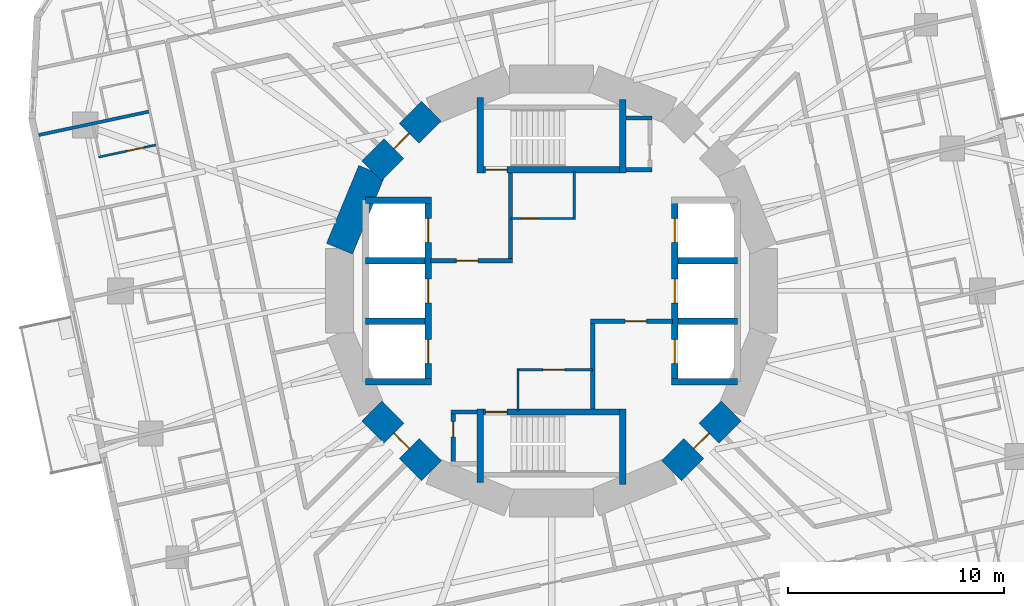
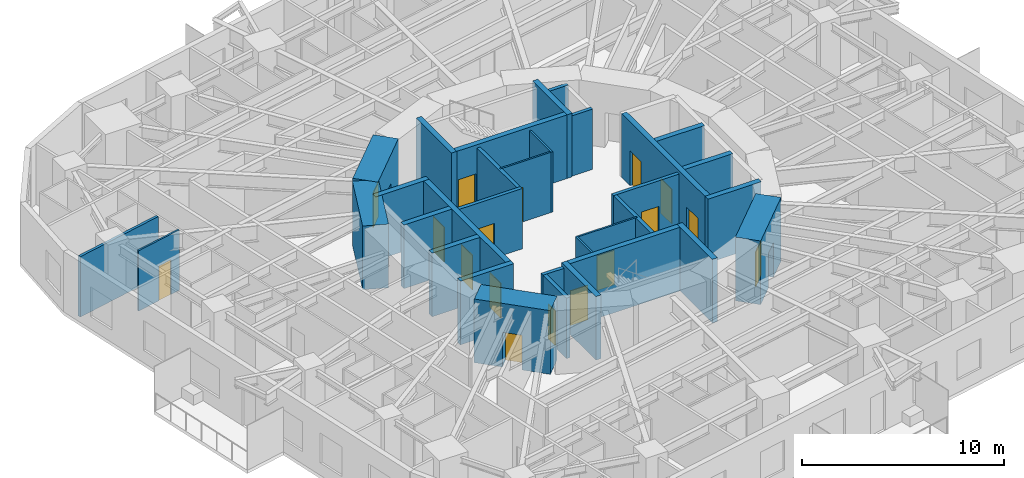
# One storey, part 7 of 14: 33 walls, 17 doors, 17 openings.
"""IFC4 building model written with IfcOpenShell, lengths in metres."""

from ifc_helpers import new_model, si_unit, direction, frame, frame_2d, origin, place, context, subcontext, project, spatial, rectangle, extrude, material, layer, layer_set, type_object, element, fill, save


model = new_model("IFC4")

# Units and contexts
model_context = context("Model", 3, precision=1e-05, world=origin(), true_north=direction((0.0, 1.0)))
body_context = subcontext(model_context, "Body", "Model", "MODEL_VIEW")
ifc_project = project(units=[si_unit("LENGTHUNIT", "METRE"), si_unit("AREAUNIT", "SQUARE_METRE"), si_unit("VOLUMEUNIT", "CUBIC_METRE"), si_unit("PLANEANGLEUNIT", "RADIAN"), si_unit("MASSUNIT", "GRAM", prefix="KILO")], contexts=[model_context])

# Site, building, storey
site_placement = place(None, origin())
site = spatial("IfcSite", under=ifc_project, at=site_placement, CompositionType="ELEMENT")
building_placement = place(site_placement, origin())
building = spatial("IfcBuilding", under=site, at=building_placement, Name="Nakasero Lantern House", CompositionType="ELEMENT")
storey_placement = place(building_placement, frame((0.0, 0.0, 105.0)))
storey = spatial("IfcBuildingStorey", under=building, at=storey_placement, Name="L25", CompositionType="ELEMENT", Elevation=105.0)

# Wall, openings, doors
ifc_material_1 = material(Name="Concrete C50/60", Category="concrete")
ifc_layer_1 = layer(ifc_material_1, 0.300048828125)
ifc_layer_set_1 = layer_set([ifc_layer_1], Name="Core inner wall 300")
wall_type_1 = type_object("IfcWallType", Name="Core inner wall 300", PredefinedType="SHEAR", material=ifc_layer_set_1)
wall_1_placement = place(storey_placement, frame((-5.699951171875, -4.199951171875, 0.0), z_axis=(0.0, 0.0, 1.0), x_axis=(0.0, 1.0, 0.0)))
wall_1 = element("IfcWall", 1, at=wall_1_placement, inside=storey, type_object=wall_type_1, Name="Core inner wall L25 LW", PredefinedType="SHEAR", context=body_context, shape_type="SweptSolid", body=[
    extrude(rectangle(XDim=8.39990234375, YDim=0.300048828125, at=frame_2d((4.199951171875, 0.0))), origin(), (0.0, 0.0, 1.0), 3.85009765625),
])
opening_1_placement = place(wall_1_placement, frame((0.85009765625, 0.0, 0.0)))
opening_1 = element("IfcOpeningElement", 2, at=opening_1_placement, cuts=wall_1, Name="Opening LD", PredefinedType="OPENING", context=body_context, shape_type="SweptSolid", body=[
    extrude(rectangle(XDim=1.10009765625, YDim=2.10009765625, at=frame_2d((0.550048828125, 1.050048828125))), frame((0.0, 0.169921875, 0.0), z_axis=(0.0, -1.0, 0.0), x_axis=(1.0, 0.0, 0.0)), (0.0, 0.0, 1.0), 0.340087890625),
])
opening_2_placement = place(wall_1_placement, frame((3.64990234375, 0.0, 0.0)))
opening_2 = element("IfcOpeningElement", 3, at=opening_2_placement, cuts=wall_1, Name="Opening LD", PredefinedType="OPENING", context=body_context, shape_type="SweptSolid", body=[
    extrude(rectangle(XDim=1.10009765625, YDim=2.10009765625, at=frame_2d((0.550048828125, 1.050048828125))), frame((0.0, 0.169921875, 0.0), z_axis=(0.0, -1.0, 0.0), x_axis=(1.0, 0.0, 0.0)), (0.0, 0.0, 1.0), 0.340087890625),
])
opening_3_placement = place(wall_1_placement, frame((6.449951171875, 0.0, 0.0)))
opening_3 = element("IfcOpeningElement", 4, at=opening_3_placement, cuts=wall_1, Name="Opening LD", PredefinedType="OPENING", context=body_context, shape_type="SweptSolid", body=[
    extrude(rectangle(XDim=1.10009765625, YDim=2.10009765625, at=frame_2d((0.550048828125, 1.050048828125))), frame((0.0, 0.169921875, 0.0), z_axis=(0.0, -1.0, 0.0), x_axis=(1.0, 0.0, 0.0)), (0.0, 0.0, 1.0), 0.340087890625),
])
ifc_material_2 = material(Name="Steel S355", Category="steel")
door_type_1 = type_object("IfcDoorType", Name="Lift landing door E120 1100", OperationType="SLIDING_TO_LEFT", PredefinedType="DOOR", material=ifc_material_2)
door_1_placement = place(opening_1_placement, origin())
door_1 = element("IfcDoor", 5, at=door_1_placement, inside=storey, type_object=door_type_1, Name="Lift landing door LW1", OperationType="SLIDING_TO_LEFT", OverallHeight=2.10009765625, OverallWidth=1.10009765625, PredefinedType="DOOR", context=body_context, shape_type="SweptSolid", body=[
    extrude(rectangle(XDim=1.10009765625, YDim=2.10009765625, at=frame_2d((0.550048828125, 1.050048828125))), frame((0.0, 0.02490234375, 0.0), z_axis=(0.0, -1.0, 0.0), x_axis=(1.0, 0.0, 0.0)), (0.0, 0.0, 1.0), 0.050048828125),
])
fill(opening_1, door_1)
door_2_placement = place(opening_2_placement, origin())
door_2 = element("IfcDoor", 6, at=door_2_placement, inside=storey, type_object=door_type_1, Name="Lift landing door LW2", OperationType="SLIDING_TO_LEFT", OverallHeight=2.10009765625, OverallWidth=1.10009765625, PredefinedType="DOOR", context=body_context, shape_type="SweptSolid", body=[
    extrude(rectangle(XDim=1.10009765625, YDim=2.10009765625, at=frame_2d((0.550048828125, 1.050048828125))), frame((0.0, 0.02490234375, 0.0), z_axis=(0.0, -1.0, 0.0), x_axis=(1.0, 0.0, 0.0)), (0.0, 0.0, 1.0), 0.050048828125),
])
fill(opening_2, door_2)
door_3_placement = place(opening_3_placement, origin())
door_3 = element("IfcDoor", 7, at=door_3_placement, inside=storey, type_object=door_type_1, Name="Lift landing door LW3", OperationType="SLIDING_TO_LEFT", OverallHeight=2.10009765625, OverallWidth=1.10009765625, PredefinedType="DOOR", context=body_context, shape_type="SweptSolid", body=[
    extrude(rectangle(XDim=1.10009765625, YDim=2.10009765625, at=frame_2d((0.550048828125, 1.050048828125))), frame((0.0, 0.02490234375, 0.0), z_axis=(0.0, -1.0, 0.0), x_axis=(1.0, 0.0, 0.0)), (0.0, 0.0, 1.0), 0.050048828125),
])
fill(opening_3, door_3)

wall_2_placement = place(storey_placement, frame((5.699951171875, -4.199951171875, 0.0), z_axis=(0.0, 0.0, 1.0), x_axis=(0.0, 1.0, 0.0)))
wall_2 = element("IfcWall", 8, at=wall_2_placement, inside=storey, type_object=wall_type_1, Name="Core inner wall L25 LE", PredefinedType="SHEAR", context=body_context, shape_type="SweptSolid", body=[
    extrude(rectangle(XDim=8.39990234375, YDim=0.300048828125, at=frame_2d((4.199951171875, 0.0))), origin(), (0.0, 0.0, 1.0), 3.85009765625),
])
opening_4_placement = place(wall_2_placement, frame((0.85009765625, 0.0, 0.0)))
opening_4 = element("IfcOpeningElement", 9, at=opening_4_placement, cuts=wall_2, Name="Opening LD", PredefinedType="OPENING", context=body_context, shape_type="SweptSolid", body=[
    extrude(rectangle(XDim=1.10009765625, YDim=2.10009765625, at=frame_2d((0.550048828125, 1.050048828125))), frame((0.0, 0.169921875, 0.0), z_axis=(0.0, -1.0, 0.0), x_axis=(1.0, 0.0, 0.0)), (0.0, 0.0, 1.0), 0.340087890625),
])
opening_5_placement = place(wall_2_placement, frame((3.64990234375, 0.0, 0.0)))
opening_5 = element("IfcOpeningElement", 10, at=opening_5_placement, cuts=wall_2, Name="Opening LD", PredefinedType="OPENING", context=body_context, shape_type="SweptSolid", body=[
    extrude(rectangle(XDim=1.10009765625, YDim=2.10009765625, at=frame_2d((0.550048828125, 1.050048828125))), frame((0.0, 0.169921875, 0.0), z_axis=(0.0, -1.0, 0.0), x_axis=(1.0, 0.0, 0.0)), (0.0, 0.0, 1.0), 0.340087890625),
])
opening_6_placement = place(wall_2_placement, frame((6.449951171875, 0.0, 0.0)))
opening_6 = element("IfcOpeningElement", 11, at=opening_6_placement, cuts=wall_2, Name="Opening LD", PredefinedType="OPENING", context=body_context, shape_type="SweptSolid", body=[
    extrude(rectangle(XDim=1.10009765625, YDim=2.10009765625, at=frame_2d((0.550048828125, 1.050048828125))), frame((0.0, 0.169921875, 0.0), z_axis=(0.0, -1.0, 0.0), x_axis=(1.0, 0.0, 0.0)), (0.0, 0.0, 1.0), 0.340087890625),
])
door_4_placement = place(opening_4_placement, origin())
door_4 = element("IfcDoor", 12, at=door_4_placement, inside=storey, type_object=door_type_1, Name="Lift landing door LE1", OperationType="SLIDING_TO_LEFT", OverallHeight=2.10009765625, OverallWidth=1.10009765625, PredefinedType="DOOR", context=body_context, shape_type="SweptSolid", body=[
    extrude(rectangle(XDim=1.10009765625, YDim=2.10009765625, at=frame_2d((0.550048828125, 1.050048828125))), frame((0.0, 0.02490234375, 0.0), z_axis=(0.0, -1.0, 0.0), x_axis=(1.0, 0.0, 0.0)), (0.0, 0.0, 1.0), 0.050048828125),
])
fill(opening_4, door_4)
door_5_placement = place(opening_5_placement, origin())
door_5 = element("IfcDoor", 13, at=door_5_placement, inside=storey, type_object=door_type_1, Name="Lift landing door LE2", OperationType="SLIDING_TO_LEFT", OverallHeight=2.10009765625, OverallWidth=1.10009765625, PredefinedType="DOOR", context=body_context, shape_type="SweptSolid", body=[
    extrude(rectangle(XDim=1.10009765625, YDim=2.10009765625, at=frame_2d((0.550048828125, 1.050048828125))), frame((0.0, 0.02490234375, 0.0), z_axis=(0.0, -1.0, 0.0), x_axis=(1.0, 0.0, 0.0)), (0.0, 0.0, 1.0), 0.050048828125),
])
fill(opening_5, door_5)
door_6_placement = place(opening_6_placement, origin())
door_6 = element("IfcDoor", 14, at=door_6_placement, inside=storey, type_object=door_type_1, Name="Lift landing door LE3", OperationType="SLIDING_TO_LEFT", OverallHeight=2.10009765625, OverallWidth=1.10009765625, PredefinedType="DOOR", context=body_context, shape_type="SweptSolid", body=[
    extrude(rectangle(XDim=1.10009765625, YDim=2.10009765625, at=frame_2d((0.550048828125, 1.050048828125))), frame((0.0, 0.02490234375, 0.0), z_axis=(0.0, -1.0, 0.0), x_axis=(1.0, 0.0, 0.0)), (0.0, 0.0, 1.0), 0.050048828125),
])
fill(opening_6, door_6)

# Walls
for number, where, z_axis, x_axis, name in (
    (15, (-8.60009765625, 4.199951171875, 0.0), (0.0, 0.0, 1.0), (1.0, 0.0, 0.0), "Core inner wall L25 LWN"),
    (16, (-8.60009765625, -4.199951171875, 0.0), (0.0, 0.0, 1.0), (1.0, 0.0, 0.0), "Core inner wall L25 LWS"),
    (17, (5.550048828125, -4.199951171875, 0.0), (0.0, 0.0, 1.0), (1.0, 0.0, 0.0), "Core inner wall L25 LES"),
):
    element("IfcWall", number, at=place(storey_placement, frame(where, z_axis=z_axis, x_axis=x_axis)), inside=storey, type_object=wall_type_1, Name=name, PredefinedType="SHEAR", context=body_context, shape_type="SweptSolid", body=[
        extrude(rectangle(XDim=3.050048828125, YDim=0.300048828125, at=frame_2d((1.52490234375, 0.0))), origin(), (0.0, 0.0, 1.0), 3.85009765625),
    ])
for number, where, z_axis, x_axis, name in (
    (18, (-8.60009765625, -1.39990234375, 0.0), (0.0, 0.0, 1.0), (1.0, 0.0, 0.0), "Core inner wall L25 LW1"),
    (19, (-8.60009765625, 1.39990234375, 0.0), (0.0, 0.0, 1.0), (1.0, 0.0, 0.0), "Core inner wall L25 LW2"),
    (20, (5.85009765625, -1.39990234375, 0.0), (0.0, 0.0, 1.0), (1.0, 0.0, 0.0), "Core inner wall L25 LE1"),
    (21, (5.85009765625, 1.39990234375, 0.0), (0.0, 0.0, 1.0), (1.0, 0.0, 0.0), "Core inner wall L25 LE2"),
):
    element("IfcWall", number, at=place(storey_placement, frame(where, z_axis=z_axis, x_axis=x_axis)), inside=storey, type_object=wall_type_1, Name=name, PredefinedType="SHEAR", context=body_context, shape_type="SweptSolid", body=[
        extrude(rectangle(XDim=2.75, YDim=0.300048828125, at=frame_2d((1.375, 0.0))), origin(), (0.0, 0.0, 1.0), 3.85009765625),
    ])

# Wall, opening, door
wall_3_placement = place(storey_placement, frame((-3.449951171875, 5.60009765625, 0.0), z_axis=(0.0, 0.0, 1.0), x_axis=(1.0, 0.0, 0.0)))
wall_3 = element("IfcWall", 22, at=wall_3_placement, inside=storey, type_object=wall_type_1, Name="Core inner wall L25 SN", PredefinedType="SHEAR", context=body_context, shape_type="SweptSolid", body=[
    extrude(rectangle(XDim=6.89990234375, YDim=0.300048828125, at=frame_2d((3.449951171875, 0.0))), origin(), (0.0, 0.0, 1.0), 3.85009765625),
])
opening_7_placement = place(wall_3_placement, frame((0.39990234375, 0.0, 0.0)))
opening_7 = element("IfcOpeningElement", 23, at=opening_7_placement, cuts=wall_3, Name="Opening D05", PredefinedType="OPENING", context=body_context, shape_type="SweptSolid", body=[
    extrude(rectangle(XDim=1.0, YDim=2.10009765625, at=frame_2d((0.5, 1.050048828125))), frame((0.0, 0.169921875, 0.0), z_axis=(0.0, -1.0, 0.0), x_axis=(1.0, 0.0, 0.0)), (0.0, 0.0, 1.0), 0.340087890625),
])
ifc_material_3 = material(Name="Timber C24", Category="wood")
door_type_2 = type_object("IfcDoorType", Name="Core door FD60S 1000", OperationType="SINGLE_SWING_LEFT", PredefinedType="DOOR", material=ifc_material_3)
door_7_placement = place(opening_7_placement, origin())
door_7 = element("IfcDoor", 24, at=door_7_placement, inside=storey, type_object=door_type_2, Name="Door L25 D-ST1", OperationType="SINGLE_SWING_LEFT", OverallHeight=2.10009765625, OverallWidth=1.0, PredefinedType="DOOR", context=body_context, shape_type="SweptSolid", body=[
    extrude(rectangle(XDim=1.0, YDim=2.10009765625, at=frame_2d((0.5, 1.050048828125))), frame((0.0, 0.02490234375, 0.0), z_axis=(0.0, -1.0, 0.0), x_axis=(1.0, 0.0, 0.0)), (0.0, 0.0, 1.0), 0.050048828125),
])
fill(opening_7, door_7)

# Walls
wall_4_placement = place(storey_placement, frame((-3.300048828125, 5.449951171875, 0.0), z_axis=(0.0, 0.0, 1.0), x_axis=(0.0, 1.0, 0.0)))
element("IfcWall", 25, at=wall_4_placement, inside=storey, type_object=wall_type_1, Name="Core inner wall L25 SNW", PredefinedType="SHEAR", context=body_context, shape_type="SweptSolid", body=[
    extrude(rectangle(XDim=3.5, YDim=0.300048828125, at=frame_2d((1.75, 0.0))), origin(), (0.0, 0.0, 1.0), 3.85009765625),
])
wall_5_placement = place(storey_placement, frame((3.300048828125, 5.449951171875, 0.0), z_axis=(0.0, 0.0, 1.0), x_axis=(0.0, 1.0, 0.0)))
element("IfcWall", 26, at=wall_5_placement, inside=storey, type_object=wall_type_1, Name="Core inner wall L25 SNE", PredefinedType="SHEAR", context=body_context, shape_type="SweptSolid", body=[
    extrude(rectangle(XDim=3.400146484375, YDim=0.300048828125, at=frame_2d((1.7001953125, 0.0))), origin(), (0.0, 0.0, 1.0), 3.85009765625),
])

# Wall, opening, door
wall_6_placement = place(storey_placement, frame((-3.449951171875, -5.60009765625, 0.0), z_axis=(0.0, 0.0, 1.0), x_axis=(1.0, 0.0, 0.0)))
wall_6 = element("IfcWall", 27, at=wall_6_placement, inside=storey, type_object=wall_type_1, Name="Core inner wall L25 SS", PredefinedType="SHEAR", context=body_context, shape_type="SweptSolid", body=[
    extrude(rectangle(XDim=6.89990234375, YDim=0.300048828125, at=frame_2d((3.449951171875, 0.0))), origin(), (0.0, 0.0, 1.0), 3.85009765625),
])
opening_8_placement = place(wall_6_placement, frame((0.39990234375, 0.0, 0.0)))
opening_8 = element("IfcOpeningElement", 28, at=opening_8_placement, cuts=wall_6, Name="Opening D05", PredefinedType="OPENING", context=body_context, shape_type="SweptSolid", body=[
    extrude(rectangle(XDim=1.0, YDim=2.10009765625, at=frame_2d((0.5, 1.050048828125))), frame((0.0, 0.169921875, 0.0), z_axis=(0.0, -1.0, 0.0), x_axis=(1.0, 0.0, 0.0)), (0.0, 0.0, 1.0), 0.340087890625),
])
door_8_placement = place(opening_8_placement, origin())
door_8 = element("IfcDoor", 29, at=door_8_placement, inside=storey, type_object=door_type_2, Name="Door L25 D-ST2", OperationType="SINGLE_SWING_LEFT", OverallHeight=2.10009765625, OverallWidth=1.0, PredefinedType="DOOR", context=body_context, shape_type="SweptSolid", body=[
    extrude(rectangle(XDim=1.0, YDim=2.10009765625, at=frame_2d((0.5, 1.050048828125))), frame((0.0, 0.02490234375, 0.0), z_axis=(0.0, -1.0, 0.0), x_axis=(1.0, 0.0, 0.0)), (0.0, 0.0, 1.0), 0.050048828125),
])
fill(opening_8, door_8)

# Walls
wall_7_placement = place(storey_placement, frame((-3.300048828125, -5.449951171875, 0.0), z_axis=(0.0, 0.0, 1.0), x_axis=(0.0, -1.0, 0.0)))
element("IfcWall", 30, at=wall_7_placement, inside=storey, type_object=wall_type_1, Name="Core inner wall L25 SSW", PredefinedType="SHEAR", context=body_context, shape_type="SweptSolid", body=[
    extrude(rectangle(XDim=3.400146484375, YDim=0.300048828125, at=frame_2d((1.7001953125, 0.0))), origin(), (0.0, 0.0, 1.0), 3.85009765625),
])
wall_8_placement = place(storey_placement, frame((3.300048828125, -5.449951171875, 0.0), z_axis=(0.0, 0.0, 1.0), x_axis=(0.0, -1.0, 0.0)))
element("IfcWall", 31, at=wall_8_placement, inside=storey, type_object=wall_type_1, Name="Core inner wall L25 SSE", PredefinedType="SHEAR", context=body_context, shape_type="SweptSolid", body=[
    extrude(rectangle(XDim=3.5, YDim=0.300048828125, at=frame_2d((1.75, 0.0))), origin(), (0.0, 0.0, 1.0), 3.85009765625),
])

# Wall, opening, door
ifc_material_4 = material(Name="Blockwork", Category="masonry")
ifc_layer_2 = layer(ifc_material_4, 0.10009765625)
ifc_layer_set_2 = layer_set([ifc_layer_2], Name="Core room wall 100")
wall_type_2 = type_object("IfcWallType", Name="Core room wall 100", PredefinedType="PARTITIONING", material=ifc_layer_set_2)
wall_9_placement = place(storey_placement, frame((-1.89990234375, 3.35009765625, 0.0), z_axis=(0.0, 0.0, 1.0), x_axis=(1.0, 0.0, 0.0)))
wall_9 = element("IfcWall", 32, at=wall_9_placement, inside=storey, type_object=wall_type_2, Name="Core room wall L25 CR-NES", PredefinedType="PARTITIONING", context=body_context, shape_type="SweptSolid", body=[
    extrude(rectangle(XDim=3.0, YDim=0.10009765625, at=frame_2d((1.5, 0.0))), origin(), (0.0, 0.0, 1.0), 3.64990234375),
])
opening_9_placement = place(wall_9_placement, frame((0.5, 0.0, 0.0)))
opening_9 = element("IfcOpeningElement", 33, at=opening_9_placement, cuts=wall_9, Name="Opening D15", PredefinedType="OPENING", context=body_context, shape_type="SweptSolid", body=[
    extrude(rectangle(XDim=0.800048828125, YDim=2.10009765625, at=frame_2d((0.39990234375, 1.050048828125))), frame((0.0, 0.070068359375, 0.0), z_axis=(0.0, -1.0, 0.0), x_axis=(1.0, 0.0, 0.0)), (0.0, 0.0, 1.0), 0.14013671875),
])
ifc_material_5 = material(Name="Timber C24", Category="wood")
door_type_3 = type_object("IfcDoorType", Name="Cleaner's store door FD30S 800", OperationType="SINGLE_SWING_LEFT", PredefinedType="DOOR", material=ifc_material_5)
door_9_placement = place(opening_9_placement, origin())
door_9 = element("IfcDoor", 34, at=door_9_placement, inside=storey, type_object=door_type_3, Name="Door L25 D-CR-NE", OperationType="SINGLE_SWING_LEFT", OverallHeight=2.10009765625, OverallWidth=0.800048828125, PredefinedType="DOOR", context=body_context, shape_type="SweptSolid", body=[
    extrude(rectangle(XDim=0.800048828125, YDim=2.10009765625, at=frame_2d((0.39990234375, 1.050048828125))), frame((0.0, 0.02490234375, 0.0), z_axis=(0.0, -1.0, 0.0), x_axis=(1.0, 0.0, 0.0)), (0.0, 0.0, 1.0), 0.050048828125),
])
fill(opening_9, door_9)

# Wall
wall_10_placement = place(storey_placement, frame((1.050048828125, 3.300048828125, 0.0), z_axis=(0.0, 0.0, 1.0), x_axis=(0.0, 1.0, 0.0)))
element("IfcWall", 35, at=wall_10_placement, inside=storey, type_object=wall_type_2, Name="Core room wall L25 CR-NEE", PredefinedType="PARTITIONING", context=body_context, shape_type="SweptSolid", body=[
    extrude(rectangle(XDim=2.25, YDim=0.10009765625, at=frame_2d((1.125, 0.0))), origin(), (0.0, 0.0, 1.0), 3.64990234375),
])

# Wall, opening, door
wall_11_placement = place(storey_placement, frame((-1.60009765625, -3.64990234375, 0.0), z_axis=(0.0, 0.0, 1.0), x_axis=(1.0, 0.0, 0.0)))
wall_11 = element("IfcWall", 36, at=wall_11_placement, inside=storey, type_object=wall_type_2, Name="Core room wall L25 CR-SWN", PredefinedType="PARTITIONING", context=body_context, shape_type="SweptSolid", body=[
    extrude(rectangle(XDim=3.5, YDim=0.10009765625, at=frame_2d((1.75, 0.0))), origin(), (0.0, 0.0, 1.0), 3.64990234375),
])
opening_10_placement = place(wall_11_placement, frame((1.199951171875, 0.0, 0.0)))
opening_10 = element("IfcOpeningElement", 37, at=opening_10_placement, cuts=wall_11, Name="Opening D07", PredefinedType="OPENING", context=body_context, shape_type="SweptSolid", body=[
    extrude(rectangle(XDim=1.0, YDim=2.10009765625, at=frame_2d((0.5, 1.050048828125))), frame((0.0, 0.070068359375, 0.0), z_axis=(0.0, -1.0, 0.0), x_axis=(1.0, 0.0, 0.0)), (0.0, 0.0, 1.0), 0.14013671875),
])
ifc_material_6 = material(Name="Timber C24", Category="wood")
door_type_4 = type_object("IfcDoorType", Name="Room door FD30S 1000", OperationType="SINGLE_SWING_LEFT", PredefinedType="DOOR", material=ifc_material_6)
door_10_placement = place(opening_10_placement, origin())
door_10 = element("IfcDoor", 38, at=door_10_placement, inside=storey, type_object=door_type_4, Name="Door L25 D-CR-SW", OperationType="SINGLE_SWING_LEFT", OverallHeight=2.10009765625, OverallWidth=1.0, PredefinedType="DOOR", context=body_context, shape_type="SweptSolid", body=[
    extrude(rectangle(XDim=1.0, YDim=2.10009765625, at=frame_2d((0.5, 1.050048828125))), frame((0.0, 0.02490234375, 0.0), z_axis=(0.0, -1.0, 0.0), x_axis=(1.0, 0.0, 0.0)), (0.0, 0.0, 1.0), 0.050048828125),
])
fill(opening_10, door_10)

# Wall
wall_12_placement = place(storey_placement, frame((-1.550048828125, -5.550048828125, 0.0), z_axis=(0.0, 0.0, 1.0), x_axis=(0.0, 1.0, 0.0)))
element("IfcWall", 39, at=wall_12_placement, inside=storey, type_object=wall_type_2, Name="Core room wall L25 CR-SWW", PredefinedType="PARTITIONING", context=body_context, shape_type="SweptSolid", body=[
    extrude(rectangle(XDim=1.949951171875, YDim=0.10009765625, at=frame_2d((0.97509765625, 0.0))), origin(), (0.0, 0.0, 1.0), 3.64990234375),
])

# Wall, opening, door
ifc_material_7 = material(Name="Concrete C50/60", Category="concrete")
ifc_layer_3 = layer(ifc_material_7, 1.300048828125)
ifc_layer_set_3 = layer_set([ifc_layer_3], Name="Core wall 1300")
wall_type_3 = type_object("IfcWallType", Name="Core wall 1300", PredefinedType="SHEAR", material=ifc_layer_set_3)
wall_13_placement = place(storey_placement, frame((-5.5556640625, 8.314697265625, 0.0), z_axis=(0.0, 0.0, 1.0), x_axis=(-0.707106781187, -0.707106781187, 0.0)))
wall_13 = element("IfcWall", 40, at=wall_13_placement, inside=storey, type_object=wall_type_3, Name="Core wall L25 facet 6", PredefinedType="SHEAR", context=body_context, shape_type="SweptSolid", body=[
    extrude(rectangle(XDim=3.90185546875, YDim=1.300048828125, at=frame_2d((1.950927734375, 0.0))), origin(), (0.0, 0.0, 1.0), 3.85009765625),
])
opening_11_placement = place(wall_13_placement, frame((1.450927734375, 0.0, 0.0)))
opening_11 = element("IfcOpeningElement", 41, at=opening_11_placement, cuts=wall_13, Name="Opening D05", PredefinedType="OPENING", context=body_context, shape_type="SweptSolid", body=[
    extrude(rectangle(XDim=1.0, YDim=2.10009765625, at=frame_2d((0.5, 1.050048828125))), frame((0.0, 0.669921875, 0.0), z_axis=(0.0, -1.0, 0.0), x_axis=(1.0, 0.0, 0.0)), (0.0, 0.0, 1.0), 1.340087890625),
])
door_11_placement = place(opening_11_placement, origin())
door_11 = element("IfcDoor", 42, at=door_11_placement, inside=storey, type_object=door_type_2, Name="Door L25 D-CORE06", OperationType="SINGLE_SWING_LEFT", OverallHeight=2.10009765625, OverallWidth=1.0, PredefinedType="DOOR", context=body_context, shape_type="SweptSolid", body=[
    extrude(rectangle(XDim=1.0, YDim=2.10009765625, at=frame_2d((0.5, 1.050048828125))), frame((0.0, 0.02490234375, 0.0), z_axis=(0.0, -1.0, 0.0), x_axis=(1.0, 0.0, 0.0)), (0.0, 0.0, 1.0), 0.050048828125),
])
fill(opening_11, door_11)

# Wall
wall_14_placement = place(storey_placement, frame((-8.314697265625, 5.5556640625, 0.0), z_axis=(0.0, 0.0, 1.0), x_axis=(-0.382690736062, -0.923876507187, 0.0)))
element("IfcWall", 43, at=wall_14_placement, inside=storey, type_object=wall_type_3, Name="Core wall L25 facet 7", PredefinedType="SHEAR", context=body_context, shape_type="SweptSolid", body=[
    extrude(rectangle(XDim=3.90185546875, YDim=1.300048828125, at=frame_2d((1.950927734375, 0.0))), origin(), (0.0, 0.0, 1.0), 3.85009765625),
])

# Wall, opening, door
wall_15_placement = place(storey_placement, frame((-8.314697265625, -5.5556640625, 0.0), z_axis=(0.0, 0.0, 1.0), x_axis=(0.707106781187, -0.707106781187, 0.0)))
wall_15 = element("IfcWall", 44, at=wall_15_placement, inside=storey, type_object=wall_type_3, Name="Core wall L25 facet 10", PredefinedType="SHEAR", context=body_context, shape_type="SweptSolid", body=[
    extrude(rectangle(XDim=3.90185546875, YDim=1.300048828125, at=frame_2d((1.950927734375, 0.0))), origin(), (0.0, 0.0, 1.0), 3.85009765625),
])
opening_12_placement = place(wall_15_placement, frame((1.450927734375, 0.0, 0.0)))
opening_12 = element("IfcOpeningElement", 45, at=opening_12_placement, cuts=wall_15, Name="Opening D05", PredefinedType="OPENING", context=body_context, shape_type="SweptSolid", body=[
    extrude(rectangle(XDim=1.0, YDim=2.10009765625, at=frame_2d((0.5, 1.050048828125))), frame((0.0, 0.669921875, 0.0), z_axis=(0.0, -1.0, 0.0), x_axis=(1.0, 0.0, 0.0)), (0.0, 0.0, 1.0), 1.340087890625),
])
door_12_placement = place(opening_12_placement, origin())
door_12 = element("IfcDoor", 46, at=door_12_placement, inside=storey, type_object=door_type_2, Name="Door L25 D-CORE10", OperationType="SINGLE_SWING_LEFT", OverallHeight=2.10009765625, OverallWidth=1.0, PredefinedType="DOOR", context=body_context, shape_type="SweptSolid", body=[
    extrude(rectangle(XDim=1.0, YDim=2.10009765625, at=frame_2d((0.5, 1.050048828125))), frame((0.0, 0.02490234375, 0.0), z_axis=(0.0, -1.0, 0.0), x_axis=(1.0, 0.0, 0.0)), (0.0, 0.0, 1.0), 0.050048828125),
])
fill(opening_12, door_12)

wall_16_placement = place(storey_placement, frame((5.5556640625, -8.314697265625, 0.0), z_axis=(0.0, 0.0, 1.0), x_axis=(0.707106781187, 0.707106781187, 0.0)))
wall_16 = element("IfcWall", 47, at=wall_16_placement, inside=storey, type_object=wall_type_3, Name="Core wall L25 facet 14", PredefinedType="SHEAR", context=body_context, shape_type="SweptSolid", body=[
    extrude(rectangle(XDim=3.90185546875, YDim=1.300048828125, at=frame_2d((1.950927734375, 0.0))), origin(), (0.0, 0.0, 1.0), 3.85009765625),
])
opening_13_placement = place(wall_16_placement, frame((1.450927734375, 0.0, 0.0)))
opening_13 = element("IfcOpeningElement", 48, at=opening_13_placement, cuts=wall_16, Name="Opening D05", PredefinedType="OPENING", context=body_context, shape_type="SweptSolid", body=[
    extrude(rectangle(XDim=1.0, YDim=2.10009765625, at=frame_2d((0.5, 1.050048828125))), frame((0.0, 0.669921875, 0.0), z_axis=(0.0, -1.0, 0.0), x_axis=(1.0, 0.0, 0.0)), (0.0, 0.0, 1.0), 1.340087890625),
])
door_13_placement = place(opening_13_placement, origin())
door_13 = element("IfcDoor", 49, at=door_13_placement, inside=storey, type_object=door_type_2, Name="Door L25 D-CORE14", OperationType="SINGLE_SWING_LEFT", OverallHeight=2.10009765625, OverallWidth=1.0, PredefinedType="DOOR", context=body_context, shape_type="SweptSolid", body=[
    extrude(rectangle(XDim=1.0, YDim=2.10009765625, at=frame_2d((0.5, 1.050048828125))), frame((0.0, 0.02490234375, 0.0), z_axis=(0.0, -1.0, 0.0), x_axis=(1.0, 0.0, 0.0)), (0.0, 0.0, 1.0), 0.050048828125),
])
fill(opening_13, door_13)

ifc_material_8 = material(Name="Blockwork", Category="masonry")
ifc_layer_4 = layer(ifc_material_8, 0.10009765625)
ifc_layer_set_4 = layer_set([ifc_layer_4], Name="En-suite wall 100")
wall_type_4 = type_object("IfcWallType", Name="En-suite wall 100", PredefinedType="PARTITIONING", material=ifc_layer_set_4)
wall_17_placement = place(storey_placement, frame((-18.303466796875, 6.7509765625, 0.0), z_axis=(0.0, 0.0, 1.0), x_axis=(-0.978137244908, -0.207960405185, 0.0)))
wall_17 = element("IfcWall", 50, at=wall_17_placement, inside=storey, type_object=wall_type_4, Name="En-suite wall L25 ES2-01", PredefinedType="PARTITIONING", context=body_context, shape_type="SweptSolid", body=[
    extrude(rectangle(XDim=2.7001953125, YDim=0.10009765625, at=frame_2d((1.35009765625, 0.0))), origin(), (0.0, 0.0, 1.0), 3.64990234375),
])
opening_14_placement = place(wall_17_placement, frame((0.550048828125, 0.0, 0.0)))
opening_14 = element("IfcOpeningElement", 51, at=opening_14_placement, cuts=wall_17, Name="Opening D02", PredefinedType="OPENING", context=body_context, shape_type="SweptSolid", body=[
    extrude(rectangle(XDim=0.800048828125, YDim=2.10009765625, at=frame_2d((0.39990234375, 1.050048828125))), frame((0.0, 0.070068359375, 0.0), z_axis=(0.0, -1.0, 0.0), x_axis=(1.0, 0.0, 0.0)), (0.0, 0.0, 1.0), 0.14013671875),
])
ifc_material_9 = material(Name="Timber C24", Category="wood")
door_type_5 = type_object("IfcDoorType", Name="En-suite door 800", OperationType="SINGLE_SWING_RIGHT", PredefinedType="DOOR", material=ifc_material_9)
door_14_placement = place(opening_14_placement, origin())
door_14 = element("IfcDoor", 52, at=door_14_placement, inside=storey, type_object=door_type_5, Name="Door L25 DE2-01", OperationType="SINGLE_SWING_LEFT", OverallHeight=2.10009765625, OverallWidth=0.800048828125, PredefinedType="DOOR", context=body_context, shape_type="SweptSolid", body=[
    extrude(rectangle(XDim=0.800048828125, YDim=2.10009765625, at=frame_2d((0.39990234375, 1.050048828125))), frame((0.0, 0.02490234375, 0.0), z_axis=(0.0, -1.0, 0.0), x_axis=(1.0, 0.0, 0.0)), (0.0, 0.0, 1.0), 0.050048828125),
])
fill(opening_14, door_14)

ifc_material_10 = material(Name="Blockwork", Category="masonry")
ifc_layer_5 = layer(ifc_material_10, 0.199951171875)
ifc_layer_set_5 = layer_set([ifc_layer_5], Name="Fire lobby wall 200")
wall_type_5 = type_object("IfcWallType", Name="Fire lobby wall 200", PredefinedType="PARTITIONING", material=ifc_layer_set_5)
wall_18_placement = place(storey_placement, frame((-5.60009765625, 1.39990234375, 0.0), z_axis=(0.0, 0.0, 1.0), x_axis=(1.0, 0.0, 0.0)))
wall_18 = element("IfcWall", 53, at=wall_18_placement, inside=storey, type_object=wall_type_5, Name="Fire lobby wall L25 W-FL1S", PredefinedType="PARTITIONING", context=body_context, shape_type="SweptSolid", body=[
    extrude(rectangle(XDim=3.800048828125, YDim=0.199951171875, at=frame_2d((1.89990234375, 0.0))), origin(), (0.0, 0.0, 1.0), 3.64990234375),
])
opening_15_placement = place(wall_18_placement, frame((1.199951171875, 0.0, 0.0)))
opening_15 = element("IfcOpeningElement", 54, at=opening_15_placement, cuts=wall_18, Name="Opening D05", PredefinedType="OPENING", context=body_context, shape_type="SweptSolid", body=[
    extrude(rectangle(XDim=1.0, YDim=2.10009765625, at=frame_2d((0.5, 1.050048828125))), frame((0.0, 0.119873046875, 0.0), z_axis=(0.0, -1.0, 0.0), x_axis=(1.0, 0.0, 0.0)), (0.0, 0.0, 1.0), 0.239990234375),
])
door_15_placement = place(opening_15_placement, origin())
door_15 = element("IfcDoor", 55, at=door_15_placement, inside=storey, type_object=door_type_2, Name="Door L25 D-FL1", OperationType="SINGLE_SWING_LEFT", OverallHeight=2.10009765625, OverallWidth=1.0, PredefinedType="DOOR", context=body_context, shape_type="SweptSolid", body=[
    extrude(rectangle(XDim=1.0, YDim=2.10009765625, at=frame_2d((0.5, 1.050048828125))), frame((0.0, 0.02490234375, 0.0), z_axis=(0.0, -1.0, 0.0), x_axis=(1.0, 0.0, 0.0)), (0.0, 0.0, 1.0), 0.050048828125),
])
fill(opening_15, door_15)

# Wall
wall_19_placement = place(storey_placement, frame((-1.89990234375, 1.5, 0.0), z_axis=(0.0, 0.0, 1.0), x_axis=(0.0, 1.0, 0.0)))
element("IfcWall", 56, at=wall_19_placement, inside=storey, type_object=wall_type_5, Name="Fire lobby wall L25 W-FL1E", PredefinedType="PARTITIONING", context=body_context, shape_type="SweptSolid", body=[
    extrude(rectangle(XDim=3.949951171875, YDim=0.199951171875, at=frame_2d((1.97509765625, 0.0))), origin(), (0.0, 0.0, 1.0), 3.64990234375),
])

# Wall, opening, door
wall_20_placement = place(storey_placement, frame((5.60009765625, -1.39990234375, 0.0), z_axis=(0.0, 0.0, 1.0), x_axis=(-1.0, 0.0, 0.0)))
wall_20 = element("IfcWall", 57, at=wall_20_placement, inside=storey, type_object=wall_type_5, Name="Fire lobby wall L25 W-FL2N", PredefinedType="PARTITIONING", context=body_context, shape_type="SweptSolid", body=[
    extrude(rectangle(XDim=3.800048828125, YDim=0.199951171875, at=frame_2d((1.89990234375, 0.0))), origin(), (0.0, 0.0, 1.0), 3.64990234375),
])
opening_16_placement = place(wall_20_placement, frame((1.199951171875, 0.0, 0.0)))
opening_16 = element("IfcOpeningElement", 58, at=opening_16_placement, cuts=wall_20, Name="Opening D05", PredefinedType="OPENING", context=body_context, shape_type="SweptSolid", body=[
    extrude(rectangle(XDim=1.0, YDim=2.10009765625, at=frame_2d((0.5, 1.050048828125))), frame((0.0, 0.119873046875, 0.0), z_axis=(0.0, -1.0, 0.0), x_axis=(1.0, 0.0, 0.0)), (0.0, 0.0, 1.0), 0.239990234375),
])
door_16_placement = place(opening_16_placement, origin())
door_16 = element("IfcDoor", 59, at=door_16_placement, inside=storey, type_object=door_type_2, Name="Door L25 D-FL2", OperationType="SINGLE_SWING_LEFT", OverallHeight=2.10009765625, OverallWidth=1.0, PredefinedType="DOOR", context=body_context, shape_type="SweptSolid", body=[
    extrude(rectangle(XDim=1.0, YDim=2.10009765625, at=frame_2d((0.5, 1.050048828125))), frame((0.0, 0.02490234375, 0.0), z_axis=(0.0, -1.0, 0.0), x_axis=(1.0, 0.0, 0.0)), (0.0, 0.0, 1.0), 0.050048828125),
])
fill(opening_16, door_16)

# Walls
wall_21_placement = place(storey_placement, frame((1.89990234375, -1.5, 0.0), z_axis=(0.0, 0.0, 1.0), x_axis=(0.0, -1.0, 0.0)))
element("IfcWall", 60, at=wall_21_placement, inside=storey, type_object=wall_type_5, Name="Fire lobby wall L25 W-FL2W", PredefinedType="PARTITIONING", context=body_context, shape_type="SweptSolid", body=[
    extrude(rectangle(XDim=3.949951171875, YDim=0.199951171875, at=frame_2d((1.97509765625, 0.0))), origin(), (0.0, 0.0, 1.0), 3.64990234375),
])
for number, where, z_axis, x_axis, name in (
    (61, (3.449951171875, 8.0, 0.0), (0.0, 0.0, 1.0), (1.0, 0.0, 0.0), "Fire lobby wall L25 W-RS1N"),
    (62, (3.449951171875, 5.60009765625, 0.0), (0.0, 0.0, 1.0), (1.0, 0.0, 0.0), "Fire lobby wall L25 W-RS1S"),
):
    element("IfcWall", number, at=place(storey_placement, frame(where, z_axis=z_axis, x_axis=x_axis)), inside=storey, type_object=wall_type_5, Name=name, PredefinedType="PARTITIONING", context=body_context, shape_type="SweptSolid", body=[
        extrude(rectangle(XDim=1.199951171875, YDim=0.199951171875, at=frame_2d((0.60009765625, 0.0))), origin(), (0.0, 0.0, 1.0), 3.64990234375),
    ])

# Wall, opening, door
wall_22_placement = place(storey_placement, frame((-4.550048828125, -5.60009765625, 0.0), z_axis=(0.0, 0.0, 1.0), x_axis=(0.0, -1.0, 0.0)))
wall_22 = element("IfcWall", 63, at=wall_22_placement, inside=storey, type_object=wall_type_5, Name="Fire lobby wall L25 W-RS2W", PredefinedType="PARTITIONING", context=body_context, shape_type="SweptSolid", body=[
    extrude(rectangle(XDim=2.39990234375, YDim=0.199951171875, at=frame_2d((1.199951171875, 0.0))), origin(), (0.0, 0.0, 1.0), 3.64990234375),
])
opening_17_placement = place(wall_22_placement, frame((0.449951171875, 0.0, 0.0)))
opening_17 = element("IfcOpeningElement", 64, at=opening_17_placement, cuts=wall_22, Name="Opening D06", PredefinedType="OPENING", context=body_context, shape_type="SweptSolid", body=[
    extrude(rectangle(XDim=0.699951171875, YDim=2.10009765625, at=frame_2d((0.35009765625, 1.050048828125))), frame((0.0, 0.119873046875, 0.0), z_axis=(0.0, -1.0, 0.0), x_axis=(1.0, 0.0, 0.0)), (0.0, 0.0, 1.0), 0.239990234375),
])
ifc_material_11 = material(Name="Steel S355", Category="steel")
door_type_6 = type_object("IfcDoorType", Name="Riser door FD60 700", OperationType="SINGLE_SWING_LEFT", PredefinedType="DOOR", material=ifc_material_11)
door_17_placement = place(opening_17_placement, origin())
door_17 = element("IfcDoor", 65, at=door_17_placement, inside=storey, type_object=door_type_6, Name="Door L25 D-RS2", OperationType="SINGLE_SWING_LEFT", OverallHeight=2.10009765625, OverallWidth=0.699951171875, PredefinedType="DOOR", context=body_context, shape_type="SweptSolid", body=[
    extrude(rectangle(XDim=0.699951171875, YDim=2.10009765625, at=frame_2d((0.35009765625, 1.050048828125))), frame((0.0, 0.02490234375, 0.0), z_axis=(0.0, -1.0, 0.0), x_axis=(1.0, 0.0, 0.0)), (0.0, 0.0, 1.0), 0.050048828125),
])
fill(opening_17, door_17)

# Walls
wall_23_placement = place(storey_placement, frame((-3.449951171875, -5.60009765625, 0.0), z_axis=(0.0, 0.0, 1.0), x_axis=(-1.0, 0.0, 0.0)))
element("IfcWall", 66, at=wall_23_placement, inside=storey, type_object=wall_type_5, Name="Fire lobby wall L25 W-RS2N", PredefinedType="PARTITIONING", context=body_context, shape_type="SweptSolid", body=[
    extrude(rectangle(XDim=1.199951171875, YDim=0.199951171875, at=frame_2d((0.60009765625, 0.0))), origin(), (0.0, 0.0, 1.0), 3.64990234375),
])
ifc_material_12 = material(Name="Blockwork", Category="masonry")
ifc_layer_6 = layer(ifc_material_12, 0.14990234375)
ifc_layer_set_6 = layer_set([ifc_layer_6], Name="Party wall 150")
wall_type_6 = type_object("IfcWallType", Name="Party wall 150", PredefinedType="PARTITIONING", material=ifc_layer_set_6)
wall_24_placement = place(storey_placement, frame((-18.631103515625, 8.29150390625, 0.0), z_axis=(0.0, 0.0, 1.0), x_axis=(-0.978139873931, -0.207948039247, 0.0)))
element("IfcWall", 67, at=wall_24_placement, inside=storey, type_object=wall_type_6, Name="Party wall L25 PW2-01", PredefinedType="PARTITIONING", context=body_context, shape_type="SweptSolid", body=[
    extrude(rectangle(XDim=5.199951171875, YDim=0.14990234375, at=frame_2d((2.60009765625, 0.0))), origin(), (0.0, 0.0, 1.0), 3.64990234375),
])

save(model, "model.ifc")
